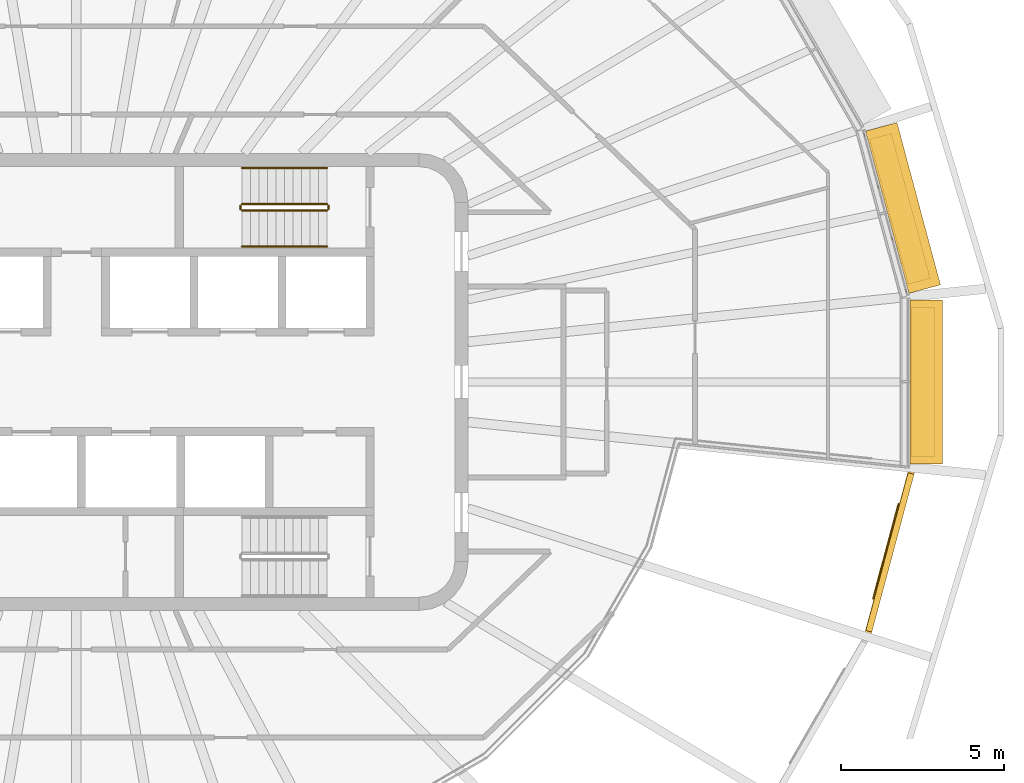
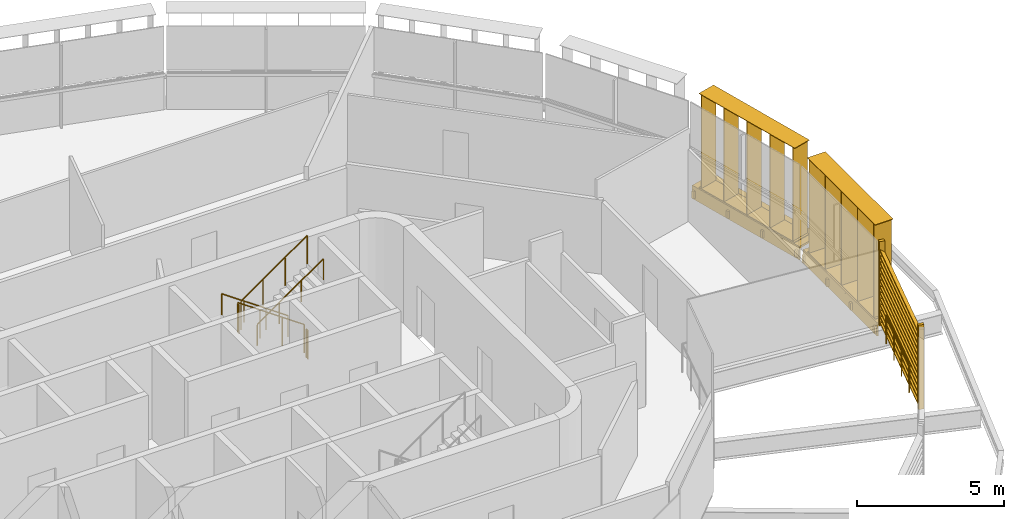
# One storey, part 17 of 18: 7 railings, 5 shading devices.
"""IFC4 building model written with IfcOpenShell, lengths in metres."""

from ifc_helpers import new_model, si_unit, direction, frame, origin, origin_2d, place, context, subcontext, project, spatial, rectangle, circle, extrude, material, type_object, element, save


model = new_model("IFC4")

# Units and contexts
model_context = context("Model", 3, precision=1e-05, world=origin(), true_north=direction((0.0, 1.0)))
body_context = subcontext(model_context, "Body", "Model", "MODEL_VIEW")
ifc_project = project(units=[si_unit("LENGTHUNIT", "METRE"), si_unit("AREAUNIT", "SQUARE_METRE"), si_unit("VOLUMEUNIT", "CUBIC_METRE"), si_unit("PLANEANGLEUNIT", "RADIAN"), si_unit("MASSUNIT", "GRAM", prefix="KILO")], contexts=[model_context])

# Site, building, storey
site_placement = place(None, origin())
site = spatial("IfcSite", under=ifc_project, at=site_placement, CompositionType="ELEMENT")
building_placement = place(site_placement, origin())
building = spatial("IfcBuilding", under=site, at=building_placement, Name="Sahrelin Media Tower", CompositionType="ELEMENT")
storey_placement = place(building_placement, frame((0.0, 0.0, 312.39990234375)))
storey = spatial("IfcBuildingStorey", under=building, at=storey_placement, Name="L69", CompositionType="ELEMENT", Elevation=312.39990234375)

# Shading devices
ifc_material_1 = material(Name="Champagne anodised aluminium 6063-T6", Category="aluminium")
shading_device_type_1 = type_object("IfcShadingDeviceType", Name="Fin cassette", PredefinedType="USERDEFINED", material=ifc_material_1)
placement_1 = place(storey_placement, frame((25.5166015625, 0.0, 0.0), z_axis=(0.0, 0.0, 1.0), x_axis=(0.0, -1.0, 0.0)))
element("IfcShadingDevice", 1, at=placement_1, inside=storey, type_object=shading_device_type_1, Name="L69:FIN:L69-00", ObjectType="FIN", PredefinedType="USERDEFINED", context=body_context, shape_type="SweptSolid", body=[
    extrude(rectangle(XDim=4.60009765625, YDim=0.699951171875, at=origin_2d()), frame((0.0, 0.419921875, 0.0)), (0.0, 0.0, 1.0), 0.02001953125),
    extrude(rectangle(XDim=4.60009765625, YDim=0.699951171875, at=origin_2d()), frame((0.0, 0.419921875, 3.89990234375)), (0.0, 0.0, 1.0), 0.02001953125),
    extrude(rectangle(XDim=0.02001953125, YDim=0.699951171875, at=origin_2d()), frame((-2.199951171875, 0.419921875, 0.010009765625), z_axis=(0.0, 0.0, 1.0), x_axis=(1.0, 0.0, 0.0)), (0.0, 0.0, 1.0), 3.89990234375),
    extrude(rectangle(XDim=0.02001953125, YDim=0.699951171875, at=origin_2d()), frame((-1.10009765625, 0.419921875, 0.010009765625), z_axis=(0.0, 0.0, 1.0), x_axis=(1.0, 0.0, 0.0)), (0.0, 0.0, 1.0), 3.89990234375),
    extrude(rectangle(XDim=0.02001953125, YDim=0.699951171875, at=origin_2d()), frame((0.0, 0.419921875, 0.010009765625), z_axis=(0.0, 0.0, 1.0), x_axis=(1.0, 0.0, 0.0)), (0.0, 0.0, 1.0), 3.89990234375),
    extrude(rectangle(XDim=0.02001953125, YDim=0.699951171875, at=origin_2d()), frame((1.10009765625, 0.419921875, 0.010009765625), z_axis=(0.0, 0.0, 1.0), x_axis=(1.0, 0.0, 0.0)), (0.0, 0.0, 1.0), 3.89990234375),
    extrude(rectangle(XDim=0.02001953125, YDim=0.699951171875, at=origin_2d()), frame((2.199951171875, 0.419921875, 0.010009765625), z_axis=(0.0, 0.0, 1.0), x_axis=(1.0, 0.0, 0.0)), (0.0, 0.0, 1.0), 3.89990234375),
])
placement_2 = place(storey_placement, frame((24.824951171875, 5.195068359375, 0.0), z_axis=(0.0, 0.0, 1.0), x_axis=(0.258807731996, -0.965928857556, 0.0)))
element("IfcShadingDevice", 2, at=placement_2, inside=storey, type_object=shading_device_type_1, Name="L69:FIN:L69-01", ObjectType="FIN", PredefinedType="USERDEFINED", context=body_context, shape_type="SweptSolid", body=[
    extrude(rectangle(XDim=4.60009765625, YDim=0.699951171875, at=origin_2d()), frame((0.0, 0.419921875, 0.0)), (0.0, 0.0, 1.0), 0.02001953125),
    extrude(rectangle(XDim=4.60009765625, YDim=0.699951171875, at=origin_2d()), frame((0.0, 0.419921875, 3.89990234375)), (0.0, 0.0, 1.0), 0.02001953125),
    extrude(rectangle(XDim=0.02001953125, YDim=0.699951171875, at=origin_2d()), frame((-2.199951171875, 0.419921875, 0.010009765625), z_axis=(0.0, 0.0, 1.0), x_axis=(1.0, 0.0, 0.0)), (0.0, 0.0, 1.0), 3.89990234375),
    extrude(rectangle(XDim=0.02001953125, YDim=0.699951171875, at=origin_2d()), frame((-1.10009765625, 0.419921875, 0.010009765625), z_axis=(0.0, 0.0, 1.0), x_axis=(1.0, 0.0, 0.0)), (0.0, 0.0, 1.0), 3.89990234375),
    extrude(rectangle(XDim=0.02001953125, YDim=0.699951171875, at=origin_2d()), frame((0.0, 0.419921875, 0.010009765625), z_axis=(0.0, 0.0, 1.0), x_axis=(1.0, 0.0, 0.0)), (0.0, 0.0, 1.0), 3.89990234375),
    extrude(rectangle(XDim=0.02001953125, YDim=0.699951171875, at=origin_2d()), frame((1.10009765625, 0.419921875, 0.010009765625), z_axis=(0.0, 0.0, 1.0), x_axis=(1.0, 0.0, 0.0)), (0.0, 0.0, 1.0), 3.89990234375),
    extrude(rectangle(XDim=0.02001953125, YDim=0.699951171875, at=origin_2d()), frame((2.199951171875, 0.419921875, 0.010009765625), z_axis=(0.0, 0.0, 1.0), x_axis=(1.0, 0.0, 0.0)), (0.0, 0.0, 1.0), 3.89990234375),
])
shading_device_type_2 = type_object("IfcShadingDeviceType", Name="Garden screen", PredefinedType="USERDEFINED", material=ifc_material_1)
shading_device_3_placement = place(storey_placement, frame((24.824951171875, -5.195068359375, 0.0), z_axis=(0.0, 0.0, 1.0), x_axis=(-0.258807731996, -0.965928857556, 0.0)))
element("IfcShadingDevice", 3, at=shading_device_3_placement, inside=storey, type_object=shading_device_type_2, Name="L69:SCREEN:L69-23", ObjectType="SCREEN", PredefinedType="USERDEFINED", context=body_context, shape_type="SweptSolid", body=[
    extrude(rectangle(XDim=0.1201171875, YDim=0.199951171875, at=origin_2d()), frame((2.56298828125, 0.10009765625, 0.050048828125), z_axis=(0.0, 0.0, 1.0), x_axis=(1.0, 0.0, 0.0)), (0.0, 0.0, 1.0), 3.49853515625),
    extrude(rectangle(XDim=0.1201171875, YDim=0.199951171875, at=origin_2d()), frame((-2.56298828125, 0.10009765625, 0.050048828125), z_axis=(0.0, 0.0, 1.0), x_axis=(1.0, 0.0, 0.0)), (0.0, 0.0, 1.0), 3.49853515625),
    extrude(rectangle(XDim=0.25, YDim=0.02001953125, at=origin_2d()), frame((2.5029296875, 0.10009765625, 0.14990234375), z_axis=(-1.0, 0.0, 0.0), x_axis=(0.0, -0.766044443119, 0.642787609687)), (0.0, 0.0, 1.0), 5.005859375),
    extrude(rectangle(XDim=0.25, YDim=0.02001953125, at=origin_2d()), frame((2.5029296875, 0.10009765625, 0.39990234375), z_axis=(-1.0, 0.0, 0.0), x_axis=(0.0, -0.766044443119, 0.642787609687)), (0.0, 0.0, 1.0), 5.005859375),
    extrude(rectangle(XDim=0.25, YDim=0.02001953125, at=origin_2d()), frame((2.5029296875, 0.10009765625, 0.64990234375), z_axis=(-1.0, 0.0, 0.0), x_axis=(0.0, -0.766044443119, 0.642787609687)), (0.0, 0.0, 1.0), 5.005859375),
    extrude(rectangle(XDim=0.25, YDim=0.02001953125, at=origin_2d()), frame((2.5029296875, 0.10009765625, 0.89990234375), z_axis=(-1.0, 0.0, 0.0), x_axis=(0.0, -0.766044443119, 0.642787609687)), (0.0, 0.0, 1.0), 5.005859375),
    extrude(rectangle(XDim=0.25, YDim=0.02001953125, at=origin_2d()), frame((2.5029296875, 0.10009765625, 1.14990234375), z_axis=(-1.0, 0.0, 0.0), x_axis=(0.0, -0.766044443119, 0.642787609687)), (0.0, 0.0, 1.0), 5.005859375),
    extrude(rectangle(XDim=0.25, YDim=0.02001953125, at=origin_2d()), frame((2.5029296875, 0.10009765625, 1.39990234375), z_axis=(-1.0, 0.0, 0.0), x_axis=(0.0, -0.766044443119, 0.642787609687)), (0.0, 0.0, 1.0), 5.005859375),
    extrude(rectangle(XDim=0.25, YDim=0.02001953125, at=origin_2d()), frame((2.5029296875, 0.10009765625, 1.64990234375), z_axis=(-1.0, 0.0, 0.0), x_axis=(0.0, -0.766044443119, 0.642787609687)), (0.0, 0.0, 1.0), 5.005859375),
    extrude(rectangle(XDim=0.25, YDim=0.02001953125, at=origin_2d()), frame((2.5029296875, 0.10009765625, 1.89990234375), z_axis=(-1.0, 0.0, 0.0), x_axis=(0.0, -0.766044443119, 0.642787609687)), (0.0, 0.0, 1.0), 5.005859375),
    extrude(rectangle(XDim=0.25, YDim=0.02001953125, at=origin_2d()), frame((2.5029296875, 0.10009765625, 2.14990234375), z_axis=(-1.0, 0.0, 0.0), x_axis=(0.0, -0.766044443119, 0.642787609687)), (0.0, 0.0, 1.0), 5.005859375),
    extrude(rectangle(XDim=0.25, YDim=0.02001953125, at=origin_2d()), frame((2.5029296875, 0.10009765625, 2.39990234375), z_axis=(-1.0, 0.0, 0.0), x_axis=(0.0, -0.766044443119, 0.642787609687)), (0.0, 0.0, 1.0), 5.005859375),
    extrude(rectangle(XDim=0.25, YDim=0.02001953125, at=origin_2d()), frame((2.5029296875, 0.10009765625, 2.64990234375), z_axis=(-1.0, 0.0, 0.0), x_axis=(0.0, -0.766044443119, 0.642787609687)), (0.0, 0.0, 1.0), 5.005859375),
    extrude(rectangle(XDim=0.25, YDim=0.02001953125, at=origin_2d()), frame((2.5029296875, 0.10009765625, 2.89990234375), z_axis=(-1.0, 0.0, 0.0), x_axis=(0.0, -0.766044443119, 0.642787609687)), (0.0, 0.0, 1.0), 5.005859375),
    extrude(rectangle(XDim=0.25, YDim=0.02001953125, at=origin_2d()), frame((2.5029296875, 0.10009765625, 3.14990234375), z_axis=(-1.0, 0.0, 0.0), x_axis=(0.0, -0.766044443119, 0.642787609687)), (0.0, 0.0, 1.0), 5.005859375),
])

# Railings
ifc_material_2 = material(Name="Stainless steel 316", Category="steel")
railing_type_1 = type_object("IfcRailingType", Name="Sky garden guard", PredefinedType="GUARDRAIL", material=ifc_material_2)
railing_1_placement = place(storey_placement, frame((25.191162109375, -3.74169921875, 0.0)))
element("IfcRailing", 4, at=railing_1_placement, inside=storey, type_object=railing_type_1, Name="Sky garden void guard G6-2", PredefinedType="GUARDRAIL", context=body_context, shape_type="SweptSolid", body=[
    extrude(circle(Radius=0.02392578125, at=origin_2d()), frame((0.0, 0.0, 1.17578125), z_axis=(-0.258894940689, -0.965905486932, 0.0), x_axis=(0.965905486932, -0.258894940689, 0.0)), (0.0, 0.0, 1.0), 2.995849609375),
    extrude(circle(Radius=0.02099609375, at=origin_2d()), origin(), (0.0, 0.0, 1.0), 1.15185546875),
    extrude(circle(Radius=0.02099609375, at=origin_2d()), frame((-0.258544921875, -0.964599609375, 0.0)), (0.0, 0.0, 1.0), 1.15185546875),
    extrude(circle(Radius=0.02099609375, at=origin_2d()), frame((-0.51708984375, -1.92919921875, 0.0)), (0.0, 0.0, 1.0), 1.15185546875),
    extrude(circle(Radius=0.02099609375, at=origin_2d()), frame((-0.775634765625, -2.893798828125, 0.0)), (0.0, 0.0, 1.0), 1.15185546875),
])
ifc_material_3 = material(Name="Steel S355", Category="steel")
railing_type_2 = type_object("IfcRailingType", Name="Stair guard 1200", PredefinedType="GUARDRAIL", material=ifc_material_3)
railing_2_placement = place(storey_placement, frame((7.675048828125, 5.449951171875, 0.181884765625)))
element("IfcRailing", 5, at=railing_2_placement, inside=storey, type_object=railing_type_2, Name="L69 ST3 stair guard 1", PredefinedType="GUARDRAIL", context=body_context, shape_type="SweptSolid", body=[
    extrude(circle(Radius=0.02392578125, at=origin_2d()), frame((0.0, 0.0, 1.17578125), z_axis=(-0.819521025635, 0.0, 0.573049115296), x_axis=(0.0, -1.0, 0.0)), (0.0, 0.0, 1.0), 3.172607421875),
    extrude(circle(Radius=0.02099609375, at=origin_2d()), origin(), (0.0, 0.0, 1.0), 1.15185546875),
    extrude(circle(Radius=0.02099609375, at=origin_2d()), frame((-0.86669921875, 0.0, 0.60595703125)), (0.0, 0.0, 1.0), 1.15185546875),
    extrude(circle(Radius=0.02099609375, at=origin_2d()), frame((-1.7333984375, 0.0, 1.212158203125)), (0.0, 0.0, 1.0), 1.15185546875),
    extrude(circle(Radius=0.02099609375, at=origin_2d()), frame((-2.60009765625, 0.0, 1.818115234375)), (0.0, 0.0, 1.0), 1.15185546875),
])
railing_3_placement = place(storey_placement, frame((5.02490234375, 5.39990234375, 2.0)))
element("IfcRailing", 6, at=railing_3_placement, inside=storey, type_object=railing_type_2, Name="L69 ST3 stair guard 2", PredefinedType="GUARDRAIL", context=body_context, shape_type="SweptSolid", body=[
    extrude(circle(Radius=0.02392578125, at=origin_2d()), frame((0.0, 0.0, 1.17578125), z_axis=(0.0, -1.0, 0.0), x_axis=(1.0, 0.0, 0.0)), (0.0, 0.0, 1.0), 0.099853515625),
    extrude(circle(Radius=0.02099609375, at=origin_2d()), origin(), (0.0, 0.0, 1.0), 1.15185546875),
    extrude(circle(Radius=0.02099609375, at=origin_2d()), frame((0.0, -0.099853515625, 0.0)), (0.0, 0.0, 1.0), 1.15185546875),
])
railing_4_placement = place(storey_placement, frame((5.074951171875, 5.25, 2.181884765625)))
element("IfcRailing", 7, at=railing_4_placement, inside=storey, type_object=railing_type_2, Name="L69 ST3 stair guard 3", PredefinedType="GUARDRAIL", context=body_context, shape_type="SweptSolid", body=[
    extrude(circle(Radius=0.02392578125, at=origin_2d()), frame((0.0, 0.0, 1.17578125), z_axis=(0.819521025635, 0.0, 0.573049115296), x_axis=(0.0, 1.0, 0.0)), (0.0, 0.0, 1.0), 3.172607421875),
    extrude(circle(Radius=0.02099609375, at=origin_2d()), origin(), (0.0, 0.0, 1.0), 1.15185546875),
    extrude(circle(Radius=0.02099609375, at=origin_2d()), frame((0.86669921875, 0.0, 0.60595703125)), (0.0, 0.0, 1.0), 1.15185546875),
    extrude(circle(Radius=0.02099609375, at=origin_2d()), frame((1.7333984375, 0.0, 1.212158203125)), (0.0, 0.0, 1.0), 1.15185546875),
    extrude(circle(Radius=0.02099609375, at=origin_2d()), frame((2.60009765625, 0.0, 1.818115234375)), (0.0, 0.0, 1.0), 1.15185546875),
])
railing_5_placement = place(storey_placement, frame((7.72509765625, 5.39990234375, 0.0)))
element("IfcRailing", 8, at=railing_5_placement, inside=storey, type_object=railing_type_2, Name="L69 ST3 stair guard 4", PredefinedType="GUARDRAIL", context=body_context, shape_type="SweptSolid", body=[
    extrude(circle(Radius=0.02392578125, at=origin_2d()), frame((0.0, 0.0, 1.17578125), z_axis=(0.0, -1.0, 0.0), x_axis=(1.0, 0.0, 0.0)), (0.0, 0.0, 1.0), 0.099853515625),
    extrude(circle(Radius=0.02099609375, at=origin_2d()), origin(), (0.0, 0.0, 1.0), 1.15185546875),
    extrude(circle(Radius=0.02099609375, at=origin_2d()), frame((0.0, -0.099853515625, 0.0)), (0.0, 0.0, 1.0), 1.15185546875),
])
railing_type_3 = type_object("IfcRailingType", Name="Stair handrail 900", PredefinedType="HANDRAIL", material=ifc_material_3)
railing_6_placement = place(storey_placement, frame((7.675048828125, 6.550048828125, 0.181884765625)))
element("IfcRailing", 9, at=railing_6_placement, inside=storey, type_object=railing_type_3, Name="L69 ST3 stair handrail 1", PredefinedType="HANDRAIL", context=body_context, shape_type="SweptSolid", body=[
    extrude(circle(Radius=0.02392578125, at=origin_2d()), frame((0.0, 0.0, 0.8759765625), z_axis=(-0.819521025635, 0.0, 0.573049115296), x_axis=(0.0, -1.0, 0.0)), (0.0, 0.0, 1.0), 3.172607421875),
    extrude(circle(Radius=0.02099609375, at=origin_2d()), origin(), (0.0, 0.0, 1.0), 0.851806640625),
    extrude(circle(Radius=0.02099609375, at=origin_2d()), frame((-0.86669921875, 0.0, 0.60595703125)), (0.0, 0.0, 1.0), 0.851806640625),
    extrude(circle(Radius=0.02099609375, at=origin_2d()), frame((-1.7333984375, 0.0, 1.212158203125)), (0.0, 0.0, 1.0), 0.851806640625),
    extrude(circle(Radius=0.02099609375, at=origin_2d()), frame((-2.60009765625, 0.0, 1.818115234375)), (0.0, 0.0, 1.0), 0.851806640625),
])
railing_7_placement = place(storey_placement, frame((5.074951171875, 4.14990234375, 2.181884765625)))
element("IfcRailing", 10, at=railing_7_placement, inside=storey, type_object=railing_type_3, Name="L69 ST3 stair handrail 2", PredefinedType="HANDRAIL", context=body_context, shape_type="SweptSolid", body=[
    extrude(circle(Radius=0.02392578125, at=origin_2d()), frame((0.0, 0.0, 0.8759765625), z_axis=(0.819521025635, 0.0, 0.573049115296), x_axis=(0.0, 1.0, 0.0)), (0.0, 0.0, 1.0), 3.172607421875),
    extrude(circle(Radius=0.02099609375, at=origin_2d()), origin(), (0.0, 0.0, 1.0), 0.851806640625),
    extrude(circle(Radius=0.02099609375, at=origin_2d()), frame((0.86669921875, 0.0, 0.60595703125)), (0.0, 0.0, 1.0), 0.851806640625),
    extrude(circle(Radius=0.02099609375, at=origin_2d()), frame((1.7333984375, 0.0, 1.212158203125)), (0.0, 0.0, 1.0), 0.851806640625),
    extrude(circle(Radius=0.02099609375, at=origin_2d()), frame((2.60009765625, 0.0, 1.818115234375)), (0.0, 0.0, 1.0), 0.851806640625),
])

# Shading devices
shading_device_type_3 = type_object("IfcShadingDeviceType", Name="Sunshade band", PredefinedType="USERDEFINED", material=ifc_material_1)
element("IfcShadingDevice", 11, at=placement_1, inside=storey, type_object=shading_device_type_3, Name="L69:SUN:L69-00", ObjectType="SUNSHADE", PredefinedType="USERDEFINED", context=body_context, shape_type="SweptSolid", body=[
    extrude(rectangle(XDim=5.0263671875, YDim=0.050048828125, at=origin_2d()), frame((0.0, 0.044921875, -0.55126953125)), (0.0, 0.0, 1.0), 0.471435546875),
    extrude(rectangle(XDim=5.0263671875, YDim=1.0, at=origin_2d()), frame((0.0, 0.52001953125, -0.080078125)), (0.0, 0.0, 1.0), 0.080078125),
    extrude(rectangle(XDim=0.10009765625, YDim=0.074951171875, at=origin_2d()), frame((-2.4130859375, -0.017578125, -0.47021484375)), (0.0, 0.0, 1.0), 0.300048828125),
    extrude(rectangle(XDim=0.10009765625, YDim=0.074951171875, at=origin_2d()), frame((-0.804443359375, -0.017578125, -0.47021484375)), (0.0, 0.0, 1.0), 0.300048828125),
    extrude(rectangle(XDim=0.10009765625, YDim=0.074951171875, at=origin_2d()), frame((0.804443359375, -0.017578125, -0.47021484375)), (0.0, 0.0, 1.0), 0.300048828125),
    extrude(rectangle(XDim=0.10009765625, YDim=0.074951171875, at=origin_2d()), frame((2.4130859375, -0.017578125, -0.47021484375)), (0.0, 0.0, 1.0), 0.300048828125),
])
element("IfcShadingDevice", 12, at=placement_2, inside=storey, type_object=shading_device_type_3, Name="L69:SUN:L69-01", ObjectType="SUNSHADE", PredefinedType="USERDEFINED", context=body_context, shape_type="SweptSolid", body=[
    extrude(rectangle(XDim=5.14599609375, YDim=0.050048828125, at=origin_2d()), frame((0.0, 0.044921875, -0.55126953125)), (0.0, 0.0, 1.0), 0.471435546875),
    extrude(rectangle(XDim=5.14599609375, YDim=1.0, at=origin_2d()), frame((0.0, 0.52001953125, -0.080078125)), (0.0, 0.0, 1.0), 0.080078125),
    extrude(rectangle(XDim=0.10009765625, YDim=0.074951171875, at=origin_2d()), frame((-2.472900390625, -0.017578125, -0.47021484375)), (0.0, 0.0, 1.0), 0.300048828125),
    extrude(rectangle(XDim=0.10009765625, YDim=0.074951171875, at=origin_2d()), frame((-0.82421875, -0.017578125, -0.47021484375)), (0.0, 0.0, 1.0), 0.300048828125),
    extrude(rectangle(XDim=0.10009765625, YDim=0.074951171875, at=origin_2d()), frame((0.82421875, -0.017578125, -0.47021484375)), (0.0, 0.0, 1.0), 0.300048828125),
    extrude(rectangle(XDim=0.10009765625, YDim=0.074951171875, at=origin_2d()), frame((2.472900390625, -0.017578125, -0.47021484375)), (0.0, 0.0, 1.0), 0.300048828125),
])

save(model, "model.ifc")
